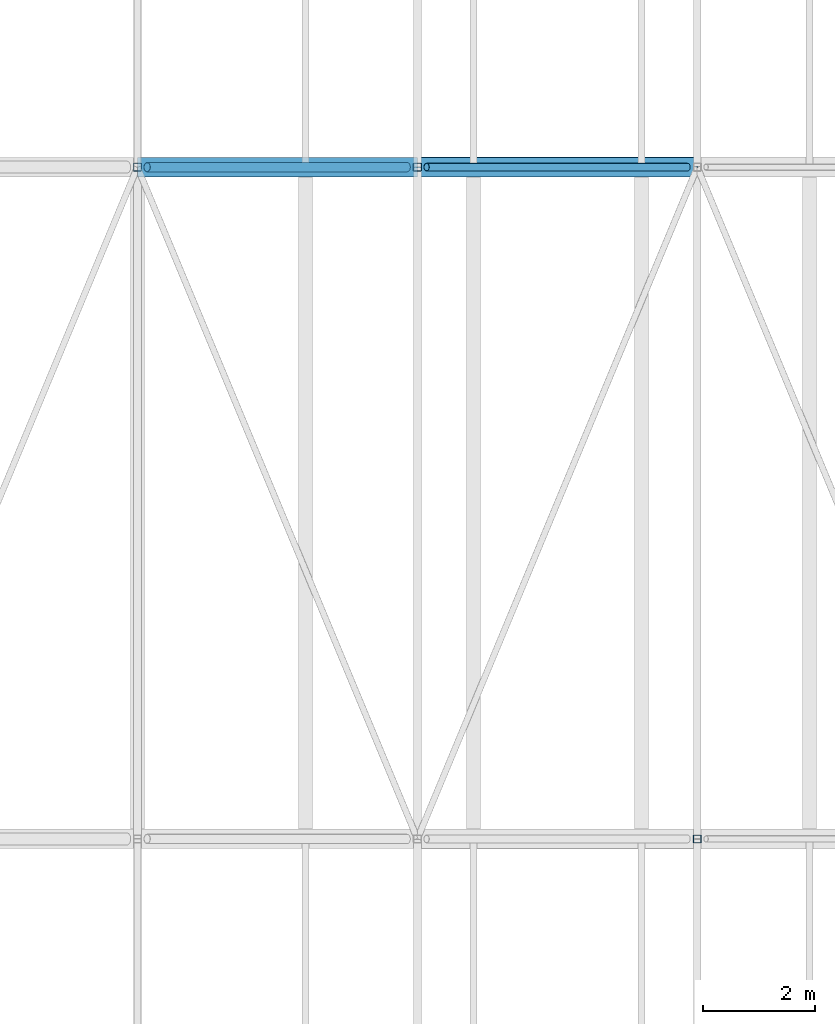
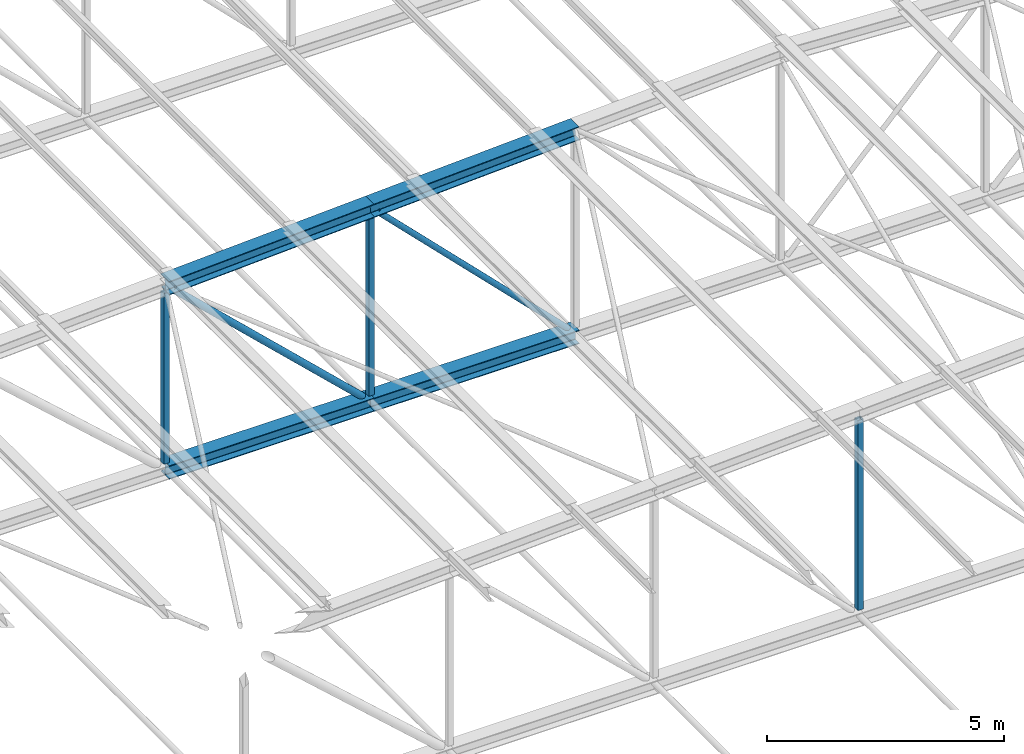
# One storey, part 98 of 156: 9 members.
"""IFC4 building model written with IfcOpenShell, lengths in metres."""

from ifc_helpers import new_model, si_unit, direction, frame, origin, origin_2d, place, context, subcontext, project, spatial, hollow_rectangle, hollow_circle, i_section, extrude, material, material_profile, profile_set, type_object, element, save


model = new_model("IFC4")

# Units and contexts
model_context = context("Model", 3, precision=1e-05, world=origin(), true_north=direction((0.0, 1.0)))
body_context = subcontext(model_context, "Body", "Model", "MODEL_VIEW")
ifc_project = project(units=[si_unit("LENGTHUNIT", "METRE"), si_unit("AREAUNIT", "SQUARE_METRE"), si_unit("VOLUMEUNIT", "CUBIC_METRE"), si_unit("PLANEANGLEUNIT", "RADIAN"), si_unit("MASSUNIT", "GRAM", prefix="KILO")], contexts=[model_context])

# Site, building, storey
site_placement = place(None, origin())
site = spatial("IfcSite", under=ifc_project, at=site_placement, CompositionType="ELEMENT")
building_placement = place(site_placement, origin())
building = spatial("IfcBuilding", under=site, at=building_placement, Name="Lilac Gate Convention Centre", CompositionType="ELEMENT")
storey_placement = place(building_placement, frame((0.0, 0.0, 17.0)))
storey = spatial("IfcBuildingStorey", under=building, at=storey_placement, Name="L03", CompositionType="ELEMENT", Elevation=17.0)

# Members
ifc_material = material(Name="Steel Q355B", Category="steel")
ifc_material_profile_1 = material_profile(ifc_material, i_section(OverallWidth=0.35009765625, OverallDepth=0.35009765625, WebThickness=0.011962890625, FlangeThickness=0.01904296875, FilletRadius=0.012939453125, at=origin_2d()), Name="HW350x350x12x19")
ifc_profile_set_1 = profile_set([ifc_material_profile_1], Name="Steel Q355B")
member_type_1 = type_object("IfcMemberType", Name="Truss bottom chord HW350x350x12x19", PredefinedType="CHORD", material=ifc_profile_set_1)
member_1_placement = place(storey_placement, frame((45.0, 186.0, 0.0), z_axis=(1.0, 0.0, 0.0), x_axis=(0.0, 1.0, 0.0)))
element("IfcMember", 1, at=member_1_placement, inside=storey, type_object=member_type_1, Name="TB2 truss 14 bottom chord 4", PredefinedType="CHORD", context=body_context, shape_type="SweptSolid", body=[
    extrude(i_section(OverallWidth=0.35009765625, OverallDepth=0.35009765625, WebThickness=0.011962890625, FlangeThickness=0.01904296875, FilletRadius=0.012939453125, at=origin_2d()), origin(), (0.0, 0.0, 1.0), 5.0),
])
ifc_material_profile_2 = material_profile(ifc_material, i_section(OverallWidth=0.35693359375, OverallDepth=0.35009765625, WebThickness=0.01904296875, FlangeThickness=0.01904296875, FilletRadius=0.012939453125, at=origin_2d()), Name="HW350x357x19x19")
ifc_profile_set_2 = profile_set([ifc_material_profile_2], Name="Steel Q355B")
member_type_2 = type_object("IfcMemberType", Name="Truss bottom chord HW350x357x19x19", PredefinedType="CHORD", material=ifc_profile_set_2)
member_2_placement = place(storey_placement, frame((50.0, 186.0, 0.0), z_axis=(1.0, 0.0, 0.0), x_axis=(0.0, 1.0, 0.0)))
element("IfcMember", 2, at=member_2_placement, inside=storey, type_object=member_type_2, Name="TB3 truss 14 bottom chord 5", PredefinedType="CHORD", context=body_context, shape_type="SweptSolid", body=[
    extrude(i_section(OverallWidth=0.35693359375, OverallDepth=0.35009765625, WebThickness=0.01904296875, FlangeThickness=0.01904296875, FilletRadius=0.012939453125, at=origin_2d()), origin(), (0.0, 0.0, 1.0), 5.0),
])
ifc_material_profile_3 = material_profile(ifc_material, hollow_circle(Radius=0.06982421875, WallThickness=0.006103515625, at=origin_2d()), Name="CHS139.7x6")
ifc_profile_set_3 = profile_set([ifc_material_profile_3], Name="Steel Q355B")
member_type_3 = type_object("IfcMemberType", Name="Truss diagonal CHS139.7x6", PredefinedType="BRACE", material=ifc_profile_set_3)
member_3_placement = place(storey_placement, frame((50.164306640625, 186.0, 4.835693359375), z_axis=(0.707106781187, 0.0, -0.707106781187), x_axis=(0.0, 1.0, 0.0)))
element("IfcMember", 3, at=member_3_placement, inside=storey, type_object=member_type_3, Name="TW5 truss 14 diagonal 5", PredefinedType="BRACE", context=body_context, shape_type="SweptSolid", body=[
    extrude(hollow_circle(Radius=0.06982421875, WallThickness=0.006103515625, at=origin_2d()), origin(), (0.0, 0.0, 1.0), 6.591064453125),
])
ifc_material_profile_4 = material_profile(ifc_material, hollow_circle(Radius=0.084228515625, WallThickness=0.006103515625, at=origin_2d()), Name="CHS168.3x6")
ifc_profile_set_4 = profile_set([ifc_material_profile_4], Name="Steel Q355B")
member_type_4 = type_object("IfcMemberType", Name="Truss diagonal CHS168.3x6", PredefinedType="BRACE", material=ifc_profile_set_4)
member_4_placement = place(storey_placement, frame((45.1728515625, 186.0, 4.585693359375), z_axis=(0.725020373275, 0.0, -0.688727419475), x_axis=(0.0, 1.0, 0.0)))
element("IfcMember", 4, at=member_4_placement, inside=storey, type_object=member_type_4, Name="TW4 truss 14 diagonal 4", PredefinedType="BRACE", context=body_context, shape_type="SweptSolid", body=[
    extrude(hollow_circle(Radius=0.084228515625, WallThickness=0.006103515625, at=origin_2d()), origin(), (0.0, 0.0, 1.0), 6.404052734375),
])
ifc_material_profile_5 = material_profile(ifc_material, i_section(OverallWidth=0.35009765625, OverallDepth=0.35009765625, WebThickness=0.011962890625, FlangeThickness=0.01904296875, FilletRadius=0.012939453125, at=origin_2d()), Name="HW350x350x12x19")
ifc_profile_set_5 = profile_set([ifc_material_profile_5], Name="Steel Q355B")
member_type_5 = type_object("IfcMemberType", Name="Truss top chord HW350x350x12x19", PredefinedType="CHORD", material=ifc_profile_set_5)
for number, where, z_axis, x_axis, name in (
    (5, (45.0, 186.0, 4.75), (0.998752338878, 0.0, 0.049937616944), (0.0, 1.0, 0.0), "TT2 truss 14 top chord 4"),
    (6, (50.0, 186.0, 5.0), (0.998752338878, 0.0, 0.049937616944), (0.0, 1.0, 0.0), "TT2 truss 14 top chord 5"),
):
    element("IfcMember", number, at=place(storey_placement, frame(where, z_axis=z_axis, x_axis=x_axis)), inside=storey, type_object=member_type_5, Name=name, PredefinedType="CHORD", context=body_context, shape_type="SweptSolid", body=[
        extrude(i_section(OverallWidth=0.35009765625, OverallDepth=0.35009765625, WebThickness=0.011962890625, FlangeThickness=0.01904296875, FilletRadius=0.012939453125, at=origin_2d()), origin(), (0.0, 0.0, 1.0), 5.00634765625),
    ])
ifc_material_profile_6 = material_profile(ifc_material, hollow_rectangle(XDim=0.139892578125, YDim=0.139892578125, WallThickness=0.0048828125, InnerFilletRadius=0.0048828125, OuterFilletRadius=0.010009765625, at=origin_2d()), Name="SHS140x140x5")
ifc_profile_set_6 = profile_set([ifc_material_profile_6], Name="Steel Q355B")
member_type_6 = type_object("IfcMemberType", Name="Truss vertical SHS140x140x5", PredefinedType="STRUT", material=ifc_profile_set_6)
member_5_placement = place(storey_placement, frame((55.0, 174.0, 0.175048828125), z_axis=(0.0, 0.0, 1.0), x_axis=(1.0, 0.0, 0.0)))
element("IfcMember", 7, at=member_5_placement, inside=storey, type_object=member_type_6, Name="TV4 truss 13 vertical 6", PredefinedType="STRUT", context=body_context, shape_type="SweptSolid", body=[
    extrude(hollow_rectangle(XDim=0.139892578125, YDim=0.139892578125, WallThickness=0.0048828125, InnerFilletRadius=0.0048828125, OuterFilletRadius=0.010009765625, at=origin_2d()), origin(), (0.0, 0.0, 1.0), 4.899658203125),
])
member_6_placement = place(storey_placement, frame((45.0, 186.0, 0.175048828125), z_axis=(0.0, 0.0, 1.0), x_axis=(1.0, 0.0, 0.0)))
element("IfcMember", 8, at=member_6_placement, inside=storey, type_object=member_type_6, Name="TV4 truss 14 vertical 4", PredefinedType="STRUT", context=body_context, shape_type="SweptSolid", body=[
    extrude(hollow_rectangle(XDim=0.139892578125, YDim=0.139892578125, WallThickness=0.0048828125, InnerFilletRadius=0.0048828125, OuterFilletRadius=0.010009765625, at=origin_2d()), origin(), (0.0, 0.0, 1.0), 4.399658203125),
])
member_7_placement = place(storey_placement, frame((50.0, 186.0, 0.175048828125), z_axis=(0.0, 0.0, 1.0), x_axis=(1.0, 0.0, 0.0)))
element("IfcMember", 9, at=member_7_placement, inside=storey, type_object=member_type_6, Name="TV4 truss 14 vertical 5", PredefinedType="STRUT", context=body_context, shape_type="SweptSolid", body=[
    extrude(hollow_rectangle(XDim=0.139892578125, YDim=0.139892578125, WallThickness=0.0048828125, InnerFilletRadius=0.0048828125, OuterFilletRadius=0.010009765625, at=origin_2d()), origin(), (0.0, 0.0, 1.0), 4.649658203125),
])

save(model, "model.ifc")
